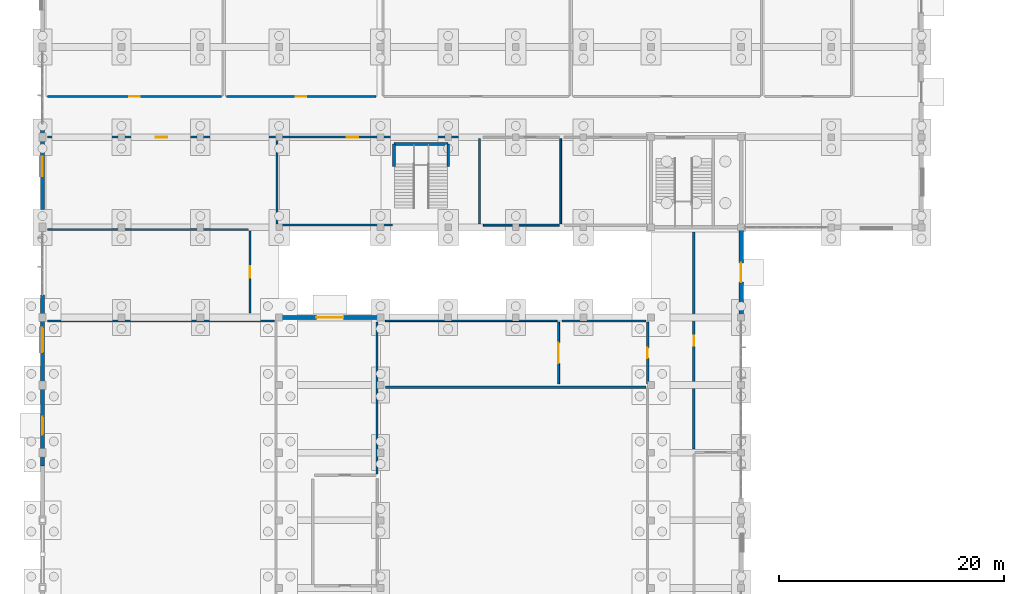
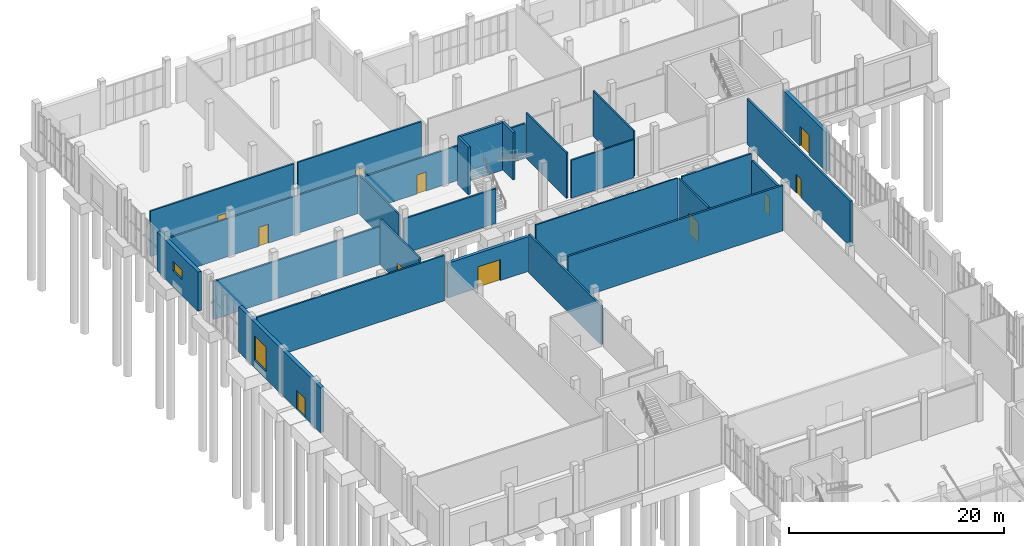
# One storey, part 47 of 69: 27 walls, 11 doors, 2 windows, 13 openings.
"""IFC4 building model written with IfcOpenShell, lengths in metres."""

from ifc_helpers import new_model, si_unit, direction, frame, frame_2d, origin, place, context, subcontext, project, spatial, rectangle, extrude, material, layer, layer_set, type_object, element, fill, save


model = new_model("IFC4")

# Units and contexts
model_context = context("Model", 3, precision=1e-05, world=origin(), true_north=direction((0.0, 1.0)))
body_context = subcontext(model_context, "Body", "Model", "MODEL_VIEW")
ifc_project = project(units=[si_unit("LENGTHUNIT", "METRE"), si_unit("AREAUNIT", "SQUARE_METRE"), si_unit("VOLUMEUNIT", "CUBIC_METRE"), si_unit("PLANEANGLEUNIT", "RADIAN"), si_unit("MASSUNIT", "GRAM", prefix="KILO")], contexts=[model_context])

# Site, building, storey
site_placement = place(None, origin())
site = spatial("IfcSite", under=ifc_project, at=site_placement, CompositionType="ELEMENT")
building_placement = place(site_placement, origin())
building = spatial("IfcBuilding", under=site, at=building_placement, Name="Solvane Community Centre", CompositionType="ELEMENT")
storey_placement = place(building_placement, origin())
storey = spatial("IfcBuildingStorey", under=building, at=storey_placement, Name="L00", CompositionType="ELEMENT", Elevation=0.0)

# Wall
ifc_material_1 = material(Name="Gypsum board partition")
ifc_layer_1 = layer(ifc_material_1, 0.14990234375)
ifc_layer_set_1 = layer_set([ifc_layer_1], Name="Gypsum board partition")
wall_type_1 = type_object("IfcWallType", Name="Acoustic Partition 150mm [153x52dm]", PredefinedType="PARTITIONING", material=ifc_layer_set_1)
wall_1_placement = place(storey_placement, frame((51.679931640625, 77.699951171875, 0.0), z_axis=(0.0, 0.0, 1.0), x_axis=(-1.0, 0.0, 0.0)))
element("IfcWall", 1, at=wall_1_placement, inside=storey, type_object=wall_type_1, Name="Interior Wall WL-INT-L00-0167", PredefinedType="PARTITIONING", context=body_context, shape_type="SweptSolid", body=[
    extrude(rectangle(XDim=15.260009765625, YDim=0.14990234375, at=frame_2d((7.6298828125, 0.0))), origin(), (0.0, 0.0, 1.0), 5.159912109375),
])

# Wall, opening, door
ifc_layer_2 = layer(ifc_material_1, 0.169921875)
ifc_layer_set_2 = layer_set([ifc_layer_2], Name="Gypsum board partition")
wall_type_2 = type_object("IfcWallType", Name="Acoustic Partition 170mm [55x52dm]", PredefinedType="PARTITIONING", material=ifc_layer_set_2)
wall_2_placement = place(storey_placement, frame((51.800048828125, 72.1201171875, 0.0), z_axis=(0.0, 0.0, 1.0), x_axis=(0.0, 1.0, 0.0)))
wall_2 = element("IfcWall", 2, at=wall_2_placement, inside=storey, type_object=wall_type_2, Name="Interior Wall WL-INT-L00-0168", PredefinedType="PARTITIONING", context=body_context, shape_type="SweptSolid", body=[
    extrude(rectangle(XDim=5.4599609375, YDim=0.169921875, at=frame_2d((2.72998046875, 0.0))), origin(), (0.0, 0.0, 1.0), 5.159912109375),
])
opening_1_placement = place(wall_2_placement, frame((1.830078125, 0.0, 0.0)))
opening_1 = element("IfcOpeningElement", 3, at=opening_1_placement, cuts=wall_2, Name="Opening ID02", PredefinedType="OPENING", context=body_context, shape_type="SweptSolid", body=[
    extrude(rectangle(XDim=1.800048828125, YDim=2.300048828125, at=frame_2d((0.89990234375, 1.14990234375))), frame((0.0, 0.094970703125, 0.0), z_axis=(0.0, -1.0, 0.0), x_axis=(1.0, 0.0, 0.0)), (0.0, 0.0, 1.0), 0.18994140625),
])
ifc_material_2 = material(Name="Anodised bronze aluminium AW-6063 T6", Category="aluminium")
door_type_1 = type_object("IfcDoorType", Name="Hall Acoustic Double Door 1800x2300", OperationType="NOTDEFINED", PredefinedType="DOOR", material=ifc_material_2)
door_1_placement = place(opening_1_placement, origin())
door_1 = element("IfcDoor", 4, at=door_1_placement, inside=storey, type_object=door_type_1, Name="L00-D052", OperationType="DOUBLE_DOOR_SINGLE_SWING", OverallHeight=2.300048828125, OverallWidth=1.800048828125, PredefinedType="DOOR", context=body_context, shape_type="SweptSolid", body=[
    extrude(rectangle(XDim=1.800048828125, YDim=2.300048828125, at=frame_2d((0.89990234375, 1.14990234375))), frame((0.0, 0.02490234375, 0.0), z_axis=(0.0, -1.0, 0.0), x_axis=(1.0, 0.0, 0.0)), (0.0, 0.0, 1.0), 0.050048828125),
])
fill(opening_1, door_1)

# Walls
ifc_layer_3 = layer(ifc_material_1, 0.169921875)
ifc_layer_set_3 = layer_set([ifc_layer_3], Name="Gypsum board partition")
wall_type_3 = type_object("IfcWallType", Name="Acoustic Partition 170mm [68x43dm]", PredefinedType="PARTITIONING", material=ifc_layer_set_3)
wall_3_placement = place(storey_placement, frame((45.1201171875, 86.199951171875, 0.0), z_axis=(0.0, 0.0, 1.0), x_axis=(1.0, 0.0, 0.0)))
element("IfcWall", 5, at=wall_3_placement, inside=storey, type_object=wall_type_3, Name="Interior Wall WL-INT-L00-0228", PredefinedType="PARTITIONING", context=body_context, shape_type="SweptSolid", body=[
    extrude(rectangle(XDim=6.759765625, YDim=0.169921875, at=frame_2d((3.3798828125, 0.0))), origin(), (0.0, 0.0, 1.0), 4.31494140625),
])
ifc_layer_4 = layer(ifc_material_1, 0.18994140625)
ifc_layer_set_4 = layer_set([ifc_layer_4], Name="Gypsum board partition")
wall_type_4 = type_object("IfcWallType", Name="Acoustic Partition 190mm [135x44dm]", PredefinedType="PARTITIONING", material=ifc_layer_set_4)
wall_4_placement = place(storey_placement, frame((35.699951171875, 64.1201171875, 0.0), z_axis=(0.0, 0.0, 1.0), x_axis=(0.0, 1.0, 0.0)))
element("IfcWall", 6, at=wall_4_placement, inside=storey, type_object=wall_type_4, Name="Interior Wall WL-INT-L00-0159", PredefinedType="PARTITIONING", context=body_context, shape_type="SweptSolid", body=[
    extrude(rectangle(XDim=13.4599609375, YDim=0.18994140625, at=frame_2d((6.72998046875, 0.0))), origin(), (0.0, 0.0, 1.0), 4.425048828125),
])
ifc_layer_5 = layer(ifc_material_1, 0.18994140625)
ifc_layer_set_5 = layer_set([ifc_layer_5], Name="Gypsum board partition")
wall_type_5 = type_object("IfcWallType", Name="Acoustic Partition 190mm [75x52dm]", PredefinedType="PARTITIONING", material=ifc_layer_set_5)
wall_5_placement = place(storey_placement, frame((59.580078125, 77.699951171875, 0.0), z_axis=(0.0, 0.0, 1.0), x_axis=(-1.0, 0.0, 0.0)))
element("IfcWall", 7, at=wall_5_placement, inside=storey, type_object=wall_type_5, Name="Interior Wall WL-INT-L00-0169", PredefinedType="PARTITIONING", context=body_context, shape_type="SweptSolid", body=[
    extrude(rectangle(XDim=7.4599609375, YDim=0.18994140625, at=frame_2d((3.72998046875, 0.0))), origin(), (0.0, 0.0, 1.0), 5.159912109375),
])
ifc_layer_6 = layer(ifc_material_1, 0.2099609375)
ifc_layer_set_6 = layer_set([ifc_layer_6], Name="Gypsum board partition")
wall_type_6 = type_object("IfcWallType", Name="Acoustic Partition 210mm [232x52dm]", PredefinedType="PARTITIONING", material=ifc_layer_set_6)
wall_6_placement = place(storey_placement, frame((59.580078125, 71.800048828125, 0.0), z_axis=(0.0, 0.0, 1.0), x_axis=(-1.0, 0.0, 0.0)))
element("IfcWall", 8, at=wall_6_placement, inside=storey, type_object=wall_type_6, Name="Interior Wall WL-INT-L00-0165", PredefinedType="PARTITIONING", context=body_context, shape_type="SweptSolid", body=[
    extrude(rectangle(XDim=23.16015625, YDim=0.2099609375, at=frame_2d((11.580078125, 0.0))), origin(), (0.0, 0.0, 1.0), 5.159912109375),
])

# Wall, opening, door
ifc_layer_7 = layer(ifc_material_1, 0.2099609375)
ifc_layer_set_7 = layer_set([ifc_layer_7], Name="Gypsum board partition")
wall_type_7 = type_object("IfcWallType", Name="Acoustic Partition 210mm [55x44dm]", PredefinedType="PARTITIONING", material=ifc_layer_set_7)
wall_7_placement = place(storey_placement, frame((59.699951171875, 72.1201171875, 0.0), z_axis=(0.0, 0.0, 1.0), x_axis=(0.0, 1.0, 0.0)))
wall_7 = element("IfcWall", 9, at=wall_7_placement, inside=storey, type_object=wall_type_7, Name="Interior Wall WL-INT-L00-0170", PredefinedType="PARTITIONING", context=body_context, shape_type="SweptSolid", body=[
    extrude(rectangle(XDim=5.4599609375, YDim=0.2099609375, at=frame_2d((2.72998046875, 0.0))), origin(), (0.0, 0.0, 1.0), 4.425048828125),
])
opening_2_placement = place(wall_7_placement, frame((2.280029296875, 0.0, 0.0)))
opening_2 = element("IfcOpeningElement", 10, at=opening_2_placement, cuts=wall_7, Name="Opening TD01", PredefinedType="OPENING", context=body_context, shape_type="SweptSolid", body=[
    extrude(rectangle(XDim=0.89990234375, YDim=2.10009765625, at=frame_2d((0.449951171875, 1.050048828125))), frame((0.0, 0.114990234375, 0.0), z_axis=(0.0, -1.0, 0.0), x_axis=(1.0, 0.0, 0.0)), (0.0, 0.0, 1.0), 0.22998046875),
])
door_type_2 = type_object("IfcDoorType", Name="Plant & Store Access Trapdoor 900x2100", OperationType="NOTDEFINED", PredefinedType="TRAPDOOR", material=ifc_material_2)
door_2_placement = place(opening_2_placement, origin())
door_2 = element("IfcDoor", 11, at=door_2_placement, inside=storey, type_object=door_type_2, Name="L00-D053", OperationType="SINGLE_SWING_RIGHT", OverallHeight=2.10009765625, OverallWidth=0.89990234375, PredefinedType="TRAPDOOR", context=body_context, shape_type="SweptSolid", body=[
    extrude(rectangle(XDim=0.89990234375, YDim=2.10009765625, at=frame_2d((0.449951171875, 1.050048828125))), frame((0.0, 0.02490234375, 0.0), z_axis=(0.0, -1.0, 0.0), x_axis=(1.0, 0.0, 0.0)), (0.0, 0.0, 1.0), 0.050048828125),
])
fill(opening_2, door_2)

ifc_material_3 = material(Name="Terracotta clay masonry", Category="masonry")
ifc_layer_8 = layer(ifc_material_3, 0.3798828125)
ifc_layer_set_8 = layer_set([ifc_layer_8], Name="Terracotta clay masonry")
wall_type_8 = type_object("IfcWallType", Name="Art Deco Terracotta Plinth Wall 380mm [72x52dm]", PredefinedType="SOLIDWALL", material=ifc_layer_set_8)
wall_8_placement = place(storey_placement, frame((6.0, 64.800048828125, 0.0), z_axis=(0.0, 0.0, 1.0), x_axis=(0.0, 1.0, 0.0)))
wall_8 = element("IfcWall", 12, at=wall_8_placement, inside=storey, type_object=wall_type_8, Name="Exterior Wall WL-EXT-L00-0026", PredefinedType="SOLIDWALL", context=body_context, shape_type="SweptSolid", body=[
    extrude(rectangle(XDim=7.199951171875, YDim=0.3798828125, at=frame_2d((3.60009765625, 0.0))), origin(), (0.0, 0.0, 1.0), 5.159912109375),
])
opening_3_placement = place(wall_8_placement, frame((2.800048828125, 0.0, 0.0)))
opening_3 = element("IfcOpeningElement", 13, at=opening_3_placement, cuts=wall_8, Name="Opening D03", PredefinedType="OPENING", context=body_context, shape_type="SweptSolid", body=[
    extrude(rectangle(XDim=1.60009765625, YDim=2.199951171875, at=frame_2d((0.800048828125, 1.10009765625))), frame((0.0, 0.199951171875, 0.0), z_axis=(0.0, -1.0, 0.0), x_axis=(1.0, 0.0, 0.0)), (0.0, 0.0, 1.0), 0.39990234375),
])
door_type_3 = type_object("IfcDoorType", Name="Secondary Courtyard Exit Pair 1600x2200", OperationType="NOTDEFINED", PredefinedType="DOOR", material=ifc_material_2)
door_3_placement = place(opening_3_placement, origin())
door_3 = element("IfcDoor", 14, at=door_3_placement, inside=storey, type_object=door_type_3, Name="L00-ED12", OperationType="DOUBLE_DOOR_SINGLE_SWING", OverallHeight=2.199951171875, OverallWidth=1.60009765625, PredefinedType="DOOR", context=body_context, shape_type="SweptSolid", body=[
    extrude(rectangle(XDim=1.60009765625, YDim=2.199951171875, at=frame_2d((0.800048828125, 1.10009765625))), frame((0.0, 0.02490234375, 0.0), z_axis=(0.0, -1.0, 0.0), x_axis=(1.0, 0.0, 0.0)), (0.0, 0.0, 1.0), 0.050048828125),
])
fill(opening_3, door_3)

# Wall, opening, window
ifc_layer_9 = layer(ifc_material_3, 0.3798828125)
ifc_layer_set_9 = layer_set([ifc_layer_9], Name="Terracotta clay masonry")
wall_type_9 = type_object("IfcWallType", Name="Art Deco Terracotta Plinth Wall 380mm [76x44dm]", PredefinedType="SOLIDWALL", material=ifc_layer_set_9)
wall_9_placement = place(storey_placement, frame((6.0, 87.60009765625, 0.0), z_axis=(0.0, 0.0, 1.0), x_axis=(0.0, 1.0, 0.0)))
wall_9 = element("IfcWall", 15, at=wall_9_placement, inside=storey, type_object=wall_type_9, Name="Exterior Wall WL-EXT-L00-0028", PredefinedType="SOLIDWALL", context=body_context, shape_type="SweptSolid", body=[
    extrude(rectangle(XDim=7.599853515625, YDim=0.3798828125, at=frame_2d((3.7998046875, 0.0))), origin(), (0.0, 0.0, 1.0), 4.445068359375),
])
opening_4_placement = place(wall_9_placement, frame((2.949951171875, 0.0, 1.800048828125)))
opening_4 = element("IfcOpeningElement", 16, at=opening_4_placement, cuts=wall_9, Name="Opening WN17", PredefinedType="OPENING", context=body_context, shape_type="SweptSolid", body=[
    extrude(rectangle(XDim=1.699951171875, YDim=1.10009765625, at=frame_2d((0.85009765625, 0.550048828125))), frame((0.0, 0.199951171875, 0.0), z_axis=(0.0, -1.0, 0.0), x_axis=(1.0, 0.0, 0.0)), (0.0, 0.0, 1.0), 0.39990234375),
])
ifc_material_4 = material(Name="Tempered low-E double glazing", Category="glass")
window_type_1 = type_object("IfcWindowType", Name="Kitchen High Clerestory 1700x1100", PartitioningType="SINGLE_PANEL", PredefinedType="WINDOW", material=ifc_material_4)
window_1_placement = place(opening_4_placement, origin())
window_1 = element("IfcWindow", 17, at=window_1_placement, inside=storey, type_object=window_type_1, Name="L00-W006", OverallHeight=1.10009765625, OverallWidth=1.699951171875, PartitioningType="SINGLE_PANEL", PredefinedType="WINDOW", context=body_context, shape_type="SweptSolid", body=[
    extrude(rectangle(XDim=1.699951171875, YDim=1.10009765625, at=frame_2d((0.85009765625, 0.550048828125))), frame((0.0, 0.030029296875, 0.0), z_axis=(0.0, -1.0, 0.0), x_axis=(1.0, 0.0, 0.0)), (0.0, 0.0, 1.0), 0.06005859375),
])
fill(opening_4, window_1)

# Wall, opening, door
ifc_layer_10 = layer(ifc_material_3, 0.3798828125)
ifc_layer_set_10 = layer_set([ifc_layer_10], Name="Terracotta clay masonry")
wall_type_10 = type_object("IfcWallType", Name="Art Deco Terracotta Plinth Wall 380mm [80x44dm]", PredefinedType="SOLIDWALL", material=ifc_layer_set_10)
wall_10_placement = place(storey_placement, frame((68.0, 86.0, 0.0), z_axis=(0.0, 0.0, 1.0), x_axis=(0.0, -1.0, 0.0)))
wall_10 = element("IfcWall", 18, at=wall_10_placement, inside=storey, type_object=wall_type_10, Name="Exterior Wall WL-EXT-L00-0040", PredefinedType="SOLIDWALL", context=body_context, shape_type="SweptSolid", body=[
    extrude(rectangle(XDim=8.0, YDim=0.3798828125, at=frame_2d((4.0, 0.0))), origin(), (0.0, 0.0, 1.0), 4.445068359375),
])
opening_5_placement = place(wall_10_placement, frame((3.14990234375, 0.0, 0.0)))
opening_5 = element("IfcOpeningElement", 19, at=opening_5_placement, cuts=wall_10, Name="Opening D07", PredefinedType="OPENING", context=body_context, shape_type="SweptSolid", body=[
    extrude(rectangle(XDim=1.699951171875, YDim=2.25, at=frame_2d((0.85009765625, 1.125))), frame((0.0, 0.199951171875, 0.0), z_axis=(0.0, -1.0, 0.0), x_axis=(1.0, 0.0, 0.0)), (0.0, 0.0, 1.0), 0.39990234375),
])
door_type_4 = type_object("IfcDoorType", Name="Nursery Garden Double Door 1700x2250", OperationType="NOTDEFINED", PredefinedType="DOOR", material=ifc_material_2)
door_4_placement = place(opening_5_placement, origin())
door_4 = element("IfcDoor", 20, at=door_4_placement, inside=storey, type_object=door_type_4, Name="L00-ED17", OperationType="DOUBLE_DOOR_SINGLE_SWING", OverallHeight=2.25, OverallWidth=1.699951171875, PredefinedType="DOOR", context=body_context, shape_type="SweptSolid", body=[
    extrude(rectangle(XDim=1.699951171875, YDim=2.25, at=frame_2d((0.85009765625, 1.125))), frame((0.0, 0.02490234375, 0.0), z_axis=(0.0, -1.0, 0.0), x_axis=(1.0, 0.0, 0.0)), (0.0, 0.0, 1.0), 0.050048828125),
])
fill(opening_5, door_4)

# Wall, opening, window
ifc_layer_11 = layer(ifc_material_3, 0.3798828125)
ifc_layer_set_11 = layer_set([ifc_layer_11], Name="Terracotta clay masonry")
wall_type_11 = type_object("IfcWallType", Name="Art Deco Terracotta Plinth Wall 380mm [80x52dm]", PredefinedType="SOLIDWALL", material=ifc_layer_set_11)
wall_11_placement = place(storey_placement, frame((6.0, 72.0, 0.0), z_axis=(0.0, 0.0, 1.0), x_axis=(0.0, 1.0, 0.0)))
wall_11 = element("IfcWall", 21, at=wall_11_placement, inside=storey, type_object=wall_type_11, Name="Exterior Wall WL-EXT-L00-0027", PredefinedType="SOLIDWALL", context=body_context, shape_type="SweptSolid", body=[
    extrude(rectangle(XDim=8.0, YDim=0.3798828125, at=frame_2d((4.0, 0.0))), origin(), (0.0, 0.0, 1.0), 5.159912109375),
])
opening_6_placement = place(wall_11_placement, frame((2.89990234375, 0.0, 0.85009765625)))
opening_6 = element("IfcOpeningElement", 22, at=opening_6_placement, cuts=wall_11, Name="Opening WN01", PredefinedType="OPENING", context=body_context, shape_type="SweptSolid", body=[
    extrude(rectangle(XDim=2.199951171875, YDim=2.800048828125, at=frame_2d((1.10009765625, 1.39990234375))), frame((0.0, 0.199951171875, 0.0), z_axis=(0.0, -1.0, 0.0), x_axis=(1.0, 0.0, 0.0)), (0.0, 0.0, 1.0), 0.39990234375),
])
window_type_2 = type_object("IfcWindowType", Name="Art Deco Tall Pier Window 2200x2800", PartitioningType="DOUBLE_PANEL_VERTICAL", PredefinedType="WINDOW", material=ifc_material_4)
window_2_placement = place(opening_6_placement, origin())
window_2 = element("IfcWindow", 23, at=window_2_placement, inside=storey, type_object=window_type_2, Name="L00-W005", OverallHeight=2.800048828125, OverallWidth=2.199951171875, PartitioningType="DOUBLE_PANEL_VERTICAL", PredefinedType="WINDOW", context=body_context, shape_type="SweptSolid", body=[
    extrude(rectangle(XDim=2.199951171875, YDim=2.800048828125, at=frame_2d((1.10009765625, 1.39990234375))), frame((0.0, 0.030029296875, 0.0), z_axis=(0.0, -1.0, 0.0), x_axis=(1.0, 0.0, 0.0)), (0.0, 0.0, 1.0), 0.06005859375),
])
fill(opening_6, window_2)

# Wall, opening, door
ifc_layer_12 = layer(ifc_material_3, 0.320068359375)
ifc_layer_set_12 = layer_set([ifc_layer_12], Name="Terracotta clay masonry")
wall_type_12 = type_object("IfcWallType", Name="Courtyard Cloister Brick Wall 320mm [90x39dm]", PredefinedType="SOLIDWALL", material=ifc_layer_set_12)
wall_12_placement = place(storey_placement, frame((27.0, 78.0, 0.0), z_axis=(0.0, 0.0, 1.0), x_axis=(1.0, 0.0, 0.0)))
wall_12 = element("IfcWall", 24, at=wall_12_placement, inside=storey, type_object=wall_type_12, Name="Exterior Wall WL-EXT-L00-0059", PredefinedType="SOLIDWALL", context=body_context, shape_type="SweptSolid", body=[
    extrude(rectangle(XDim=9.0, YDim=0.320068359375, at=frame_2d((4.5, 0.0))), origin(), (0.0, 0.0, 1.0), 3.945068359375),
])
opening_7_placement = place(wall_12_placement, frame((3.300048828125, 0.0, 0.0)))
opening_7 = element("IfcOpeningElement", 25, at=opening_7_placement, cuts=wall_12, Name="Opening GT01", PredefinedType="OPENING", context=body_context, shape_type="SweptSolid", body=[
    extrude(rectangle(XDim=2.39990234375, YDim=2.39990234375, at=frame_2d((1.199951171875, 1.199951171875))), frame((0.0, 0.169921875, 0.0), z_axis=(0.0, -1.0, 0.0), x_axis=(1.0, 0.0, 0.0)), (0.0, 0.0, 1.0), 0.340087890625),
])
door_type_5 = type_object("IfcDoorType", Name="Service Yard Gate Door 2400x2400", OperationType="NOTDEFINED", PredefinedType="GATE", material=ifc_material_2)
door_5_placement = place(opening_7_placement, origin())
door_5 = element("IfcDoor", 26, at=door_5_placement, inside=storey, type_object=door_type_5, Name="L00-ED26", OperationType="DOUBLE_DOOR_SINGLE_SWING", OverallHeight=2.39990234375, OverallWidth=2.39990234375, PredefinedType="GATE", context=body_context, shape_type="SweptSolid", body=[
    extrude(rectangle(XDim=2.39990234375, YDim=2.39990234375, at=frame_2d((1.199951171875, 1.199951171875))), frame((0.0, 0.02490234375, 0.0), z_axis=(0.0, -1.0, 0.0), x_axis=(1.0, 0.0, 0.0)), (0.0, 0.0, 1.0), 0.050048828125),
])
fill(opening_7, door_5)

ifc_layer_13 = layer(ifc_material_3, 0.219970703125)
ifc_layer_set_13 = layer_set([ifc_layer_13], Name="Terracotta clay masonry")
wall_type_13 = type_object("IfcWallType", Name="Masonry Compartment Wall 220mm [193x52dm]", PredefinedType="SOLIDWALL", material=ifc_layer_set_13)
wall_13_placement = place(storey_placement, frame((63.800048828125, 85.580078125, 0.0), z_axis=(0.0, 0.0, 1.0), x_axis=(0.0, -1.0, 0.0)))
wall_13 = element("IfcWall", 27, at=wall_13_placement, inside=storey, type_object=wall_type_13, Name="Interior Wall WL-INT-L00-0180", PredefinedType="SOLIDWALL", context=body_context, shape_type="SweptSolid", body=[
    extrude(rectangle(XDim=19.260009765625, YDim=0.219970703125, at=frame_2d((9.6298828125, 0.0))), origin(), (0.0, 0.0, 1.0), 5.159912109375),
])
opening_8_placement = place(wall_13_placement, frame((9.179931640625, 0.0, 0.0)))
opening_8 = element("IfcOpeningElement", 28, at=opening_8_placement, cuts=wall_13, Name="Opening TD01", PredefinedType="OPENING", context=body_context, shape_type="SweptSolid", body=[
    extrude(rectangle(XDim=0.89990234375, YDim=2.10009765625, at=frame_2d((0.449951171875, 1.050048828125))), frame((0.0, 0.119873046875, 0.0), z_axis=(0.0, -1.0, 0.0), x_axis=(1.0, 0.0, 0.0)), (0.0, 0.0, 1.0), 0.239990234375),
])
door_6_placement = place(opening_8_placement, origin())
door_6 = element("IfcDoor", 29, at=door_6_placement, inside=storey, type_object=door_type_2, Name="L00-D058", OperationType="SINGLE_SWING_RIGHT", OverallHeight=2.10009765625, OverallWidth=0.89990234375, PredefinedType="TRAPDOOR", context=body_context, shape_type="SweptSolid", body=[
    extrude(rectangle(XDim=0.89990234375, YDim=2.10009765625, at=frame_2d((0.449951171875, 1.050048828125))), frame((0.0, 0.02490234375, 0.0), z_axis=(0.0, -1.0, 0.0), x_axis=(1.0, 0.0, 0.0)), (0.0, 0.0, 1.0), 0.050048828125),
])
fill(opening_8, door_6)

ifc_layer_14 = layer(ifc_material_1, 0.179931640625)
ifc_layer_set_14 = layer_set([ifc_layer_14], Name="Gypsum board partition")
wall_type_14 = type_object("IfcWallType", Name="Protected Corridor Wall 180mm [133x52dm]", PredefinedType="PARTITIONING", material=ifc_layer_set_14)
wall_14_placement = place(storey_placement, frame((22.320068359375, 97.60009765625, 0.0), z_axis=(0.0, 0.0, 1.0), x_axis=(1.0, 0.0, 0.0)))
wall_14 = element("IfcWall", 30, at=wall_14_placement, inside=storey, type_object=wall_type_14, Name="Interior Wall WL-INT-L00-0240", PredefinedType="PARTITIONING", context=body_context, shape_type="SweptSolid", body=[
    extrude(rectangle(XDim=13.260009765625, YDim=0.179931640625, at=frame_2d((6.6298828125, 0.0))), origin(), (0.0, 0.0, 1.0), 5.159912109375),
])
opening_9_placement = place(wall_14_placement, frame((6.169921875, 0.0, 0.0)))
opening_9 = element("IfcOpeningElement", 31, at=opening_9_placement, cuts=wall_14, Name="Opening ID04", PredefinedType="OPENING", context=body_context, shape_type="SweptSolid", body=[
    extrude(rectangle(XDim=0.919921875, YDim=2.10009765625, at=frame_2d((0.4599609375, 1.050048828125))), frame((0.0, 0.099853515625, 0.0), z_axis=(0.0, -1.0, 0.0), x_axis=(1.0, 0.0, 0.0)), (0.0, 0.0, 1.0), 0.199951171875),
])
door_type_6 = type_object("IfcDoorType", Name="Nursery & Studio Door 920x2100", OperationType="NOTDEFINED", PredefinedType="DOOR", material=ifc_material_2)
door_7_placement = place(opening_9_placement, origin())
door_7 = element("IfcDoor", 32, at=door_7_placement, inside=storey, type_object=door_type_6, Name="L00-D086", OperationType="SINGLE_SWING_RIGHT", OverallHeight=2.10009765625, OverallWidth=0.919921875, PredefinedType="DOOR", context=body_context, shape_type="SweptSolid", body=[
    extrude(rectangle(XDim=0.919921875, YDim=2.10009765625, at=frame_2d((0.4599609375, 1.050048828125))), frame((0.0, 0.02490234375, 0.0), z_axis=(0.0, -1.0, 0.0), x_axis=(1.0, 0.0, 0.0)), (0.0, 0.0, 1.0), 0.050048828125),
])
fill(opening_9, door_7)

ifc_layer_15 = layer(ifc_material_1, 0.179931640625)
ifc_layer_set_15 = layer_set([ifc_layer_15], Name="Gypsum board partition")
wall_type_15 = type_object("IfcWallType", Name="Protected Corridor Wall 180mm [155x52dm]", PredefinedType="PARTITIONING", material=ifc_layer_set_15)
wall_15_placement = place(storey_placement, frame((6.419921875, 97.60009765625, 0.0), z_axis=(0.0, 0.0, 1.0), x_axis=(1.0, 0.0, 0.0)))
wall_15 = element("IfcWall", 33, at=wall_15_placement, inside=storey, type_object=wall_type_15, Name="Interior Wall WL-INT-L00-0238", PredefinedType="PARTITIONING", context=body_context, shape_type="SweptSolid", body=[
    extrude(rectangle(XDim=15.4599609375, YDim=0.179931640625, at=frame_2d((7.72998046875, 0.0))), origin(), (0.0, 0.0, 1.0), 5.159912109375),
])
opening_10_placement = place(wall_15_placement, frame((7.27001953125, 0.0, 0.0)))
opening_10 = element("IfcOpeningElement", 34, at=opening_10_placement, cuts=wall_15, Name="Opening ID04", PredefinedType="OPENING", context=body_context, shape_type="SweptSolid", body=[
    extrude(rectangle(XDim=0.919921875, YDim=2.10009765625, at=frame_2d((0.4599609375, 1.050048828125))), frame((0.0, 0.099853515625, 0.0), z_axis=(0.0, -1.0, 0.0), x_axis=(1.0, 0.0, 0.0)), (0.0, 0.0, 1.0), 0.199951171875),
])
door_8_placement = place(opening_10_placement, origin())
door_8 = element("IfcDoor", 35, at=door_8_placement, inside=storey, type_object=door_type_6, Name="L00-D085", OperationType="SINGLE_SWING_LEFT", OverallHeight=2.10009765625, OverallWidth=0.919921875, PredefinedType="DOOR", context=body_context, shape_type="SweptSolid", body=[
    extrude(rectangle(XDim=0.919921875, YDim=2.10009765625, at=frame_2d((0.4599609375, 1.050048828125))), frame((0.0, 0.02490234375, 0.0), z_axis=(0.0, -1.0, 0.0), x_axis=(1.0, 0.0, 0.0)), (0.0, 0.0, 1.0), 0.050048828125),
])
fill(opening_10, door_8)

ifc_layer_16 = layer(ifc_material_1, 0.179931640625)
ifc_layer_set_16 = layer_set([ifc_layer_16], Name="Gypsum board partition")
wall_type_16 = type_object("IfcWallType", Name="Protected Corridor Wall 180mm [176x39dm]", PredefinedType="PARTITIONING", material=ifc_layer_set_16)
wall_16_placement = place(storey_placement, frame((44.679931640625, 94.0, 0.0), z_axis=(0.0, 0.0, 1.0), x_axis=(-1.0, 0.0, 0.0)))
wall_16 = element("IfcWall", 36, at=wall_16_placement, inside=storey, type_object=wall_type_16, Name="Interior Wall WL-INT-L00-0224", PredefinedType="PARTITIONING", context=body_context, shape_type="SweptSolid", body=[
    extrude(rectangle(XDim=17.559814453125, YDim=0.179931640625, at=frame_2d((8.77978515625, 0.0))), origin(), (0.0, 0.0, 1.0), 3.945068359375),
])
opening_11_placement = place(wall_16_placement, frame((10.674072265625, 0.0, 0.0)))
opening_11 = element("IfcOpeningElement", 37, at=opening_11_placement, cuts=wall_16, Name="Opening ID01", PredefinedType="OPENING", context=body_context, shape_type="SweptSolid", body=[
    extrude(rectangle(XDim=1.0, YDim=2.14990234375, at=frame_2d((0.5, 1.074951171875))), frame((0.0, 0.099853515625, 0.0), z_axis=(0.0, -1.0, 0.0), x_axis=(1.0, 0.0, 0.0)), (0.0, 0.0, 1.0), 0.199951171875),
])
door_type_7 = type_object("IfcDoorType", Name="Corridor Rated Classroom Door 1000x2150", OperationType="NOTDEFINED", PredefinedType="DOOR", material=ifc_material_2)
door_9_placement = place(opening_11_placement, origin())
door_9 = element("IfcDoor", 38, at=door_9_placement, inside=storey, type_object=door_type_7, Name="L00-D079", OperationType="SINGLE_SWING_LEFT", OverallHeight=2.14990234375, OverallWidth=1.0, PredefinedType="DOOR", context=body_context, shape_type="SweptSolid", body=[
    extrude(rectangle(XDim=1.0, YDim=2.14990234375, at=frame_2d((0.5, 1.074951171875))), frame((0.0, 0.02490234375, 0.0), z_axis=(0.0, -1.0, 0.0), x_axis=(1.0, 0.0, 0.0)), (0.0, 0.0, 1.0), 0.050048828125),
])
fill(opening_11, door_9)

# Walls
ifc_layer_17 = layer(ifc_material_1, 0.179931640625)
ifc_layer_set_17 = layer_set([ifc_layer_17], Name="Gypsum board partition")
wall_type_17 = type_object("IfcWallType", Name="Protected Corridor Wall 180mm [179x43dm]", PredefinedType="PARTITIONING", material=ifc_layer_set_17)
wall_17_placement = place(storey_placement, frame((24.280029296875, 85.800048828125, 0.0), z_axis=(0.0, 0.0, 1.0), x_axis=(-1.0, 0.0, 0.0)))
element("IfcWall", 39, at=wall_17_placement, inside=storey, type_object=wall_type_17, Name="Interior Wall WL-INT-L00-0219", PredefinedType="PARTITIONING", context=body_context, shape_type="SweptSolid", body=[
    extrude(rectangle(XDim=17.860107421875, YDim=0.179931640625, at=frame_2d((8.93017578125, 0.0))), origin(), (0.0, 0.0, 1.0), 4.31494140625),
])
ifc_layer_18 = layer(ifc_material_1, 0.179931640625)
ifc_layer_set_18 = layer_set([ifc_layer_18], Name="Gypsum board partition")
wall_type_18 = type_object("IfcWallType", Name="Protected Corridor Wall 180mm [202x52dm]", PredefinedType="PARTITIONING", material=ifc_layer_set_18)
wall_18_placement = place(storey_placement, frame((26.580078125, 77.699951171875, 0.0), z_axis=(0.0, 0.0, 1.0), x_axis=(-1.0, 0.0, 0.0)))
element("IfcWall", 40, at=wall_18_placement, inside=storey, type_object=wall_type_18, Name="Interior Wall WL-INT-L00-0156", PredefinedType="PARTITIONING", context=body_context, shape_type="SweptSolid", body=[
    extrude(rectangle(XDim=20.16015625, YDim=0.179931640625, at=frame_2d((10.080078125, 0.0))), origin(), (0.0, 0.0, 1.0), 5.159912109375),
])

# Wall, opening, door
ifc_layer_19 = layer(ifc_material_1, 0.179931640625)
ifc_layer_set_19 = layer_set([ifc_layer_19], Name="Gypsum board partition")
wall_type_19 = type_object("IfcWallType", Name="Protected Corridor Wall 180mm [203x43dm]", PredefinedType="PARTITIONING", material=ifc_layer_set_19)
wall_19_placement = place(storey_placement, frame((26.679931640625, 94.0, 0.0), z_axis=(0.0, 0.0, 1.0), x_axis=(-1.0, 0.0, 0.0)))
wall_19 = element("IfcWall", 41, at=wall_19_placement, inside=storey, type_object=wall_type_19, Name="Interior Wall WL-INT-L00-0221", PredefinedType="PARTITIONING", context=body_context, shape_type="SweptSolid", body=[
    extrude(rectangle(XDim=20.260009765625, YDim=0.179931640625, at=frame_2d((10.1298828125, 0.0))), origin(), (0.0, 0.0, 1.0), 4.31494140625),
])
opening_12_placement = place(wall_19_placement, frame((9.6298828125, 0.0, 0.0)))
opening_12 = element("IfcOpeningElement", 42, at=opening_12_placement, cuts=wall_19, Name="Opening ID01", PredefinedType="OPENING", context=body_context, shape_type="SweptSolid", body=[
    extrude(rectangle(XDim=1.0, YDim=2.14990234375, at=frame_2d((0.5, 1.074951171875))), frame((0.0, 0.099853515625, 0.0), z_axis=(0.0, -1.0, 0.0), x_axis=(1.0, 0.0, 0.0)), (0.0, 0.0, 1.0), 0.199951171875),
])
door_10_placement = place(opening_12_placement, origin())
door_10 = element("IfcDoor", 43, at=door_10_placement, inside=storey, type_object=door_type_7, Name="L00-D078", OperationType="SINGLE_SWING_RIGHT", OverallHeight=2.14990234375, OverallWidth=1.0, PredefinedType="DOOR", context=body_context, shape_type="SweptSolid", body=[
    extrude(rectangle(XDim=1.0, YDim=2.14990234375, at=frame_2d((0.5, 1.074951171875))), frame((0.0, 0.02490234375, 0.0), z_axis=(0.0, -1.0, 0.0), x_axis=(1.0, 0.0, 0.0)), (0.0, 0.0, 1.0), 0.050048828125),
])
fill(opening_12, door_10)

ifc_layer_20 = layer(ifc_material_1, 0.179931640625)
ifc_layer_set_20 = layer_set([ifc_layer_20], Name="Gypsum board partition")
wall_type_20 = type_object("IfcWallType", Name="Protected Corridor Wall 180mm [73x52dm]", PredefinedType="PARTITIONING", material=ifc_layer_set_20)
wall_20_placement = place(storey_placement, frame((24.39990234375, 78.419921875, 0.0), z_axis=(0.0, 0.0, 1.0), x_axis=(0.0, 1.0, 0.0)))
wall_20 = element("IfcWall", 44, at=wall_20_placement, inside=storey, type_object=wall_type_20, Name="Interior Wall WL-INT-L00-0220", PredefinedType="PARTITIONING", context=body_context, shape_type="SweptSolid", body=[
    extrude(rectangle(XDim=7.260009765625, YDim=0.179931640625, at=frame_2d((3.6298828125, 0.0))), origin(), (0.0, 0.0, 1.0), 5.159912109375),
])
opening_13_placement = place(wall_20_placement, frame((3.1298828125, 0.0, 0.0)))
opening_13 = element("IfcOpeningElement", 45, at=opening_13_placement, cuts=wall_20, Name="Opening ID01", PredefinedType="OPENING", context=body_context, shape_type="SweptSolid", body=[
    extrude(rectangle(XDim=1.0, YDim=2.14990234375, at=frame_2d((0.5, 1.074951171875))), frame((0.0, 0.099853515625, 0.0), z_axis=(0.0, -1.0, 0.0), x_axis=(1.0, 0.0, 0.0)), (0.0, 0.0, 1.0), 0.199951171875),
])
door_11_placement = place(opening_13_placement, origin())
door_11 = element("IfcDoor", 46, at=door_11_placement, inside=storey, type_object=door_type_7, Name="L00-D077", OperationType="SINGLE_SWING_LEFT", OverallHeight=2.14990234375, OverallWidth=1.0, PredefinedType="DOOR", context=body_context, shape_type="SweptSolid", body=[
    extrude(rectangle(XDim=1.0, YDim=2.14990234375, at=frame_2d((0.5, 1.074951171875))), frame((0.0, 0.02490234375, 0.0), z_axis=(0.0, -1.0, 0.0), x_axis=(1.0, 0.0, 0.0)), (0.0, 0.0, 1.0), 0.050048828125),
])
fill(opening_13, door_11)

# Walls
ifc_layer_21 = layer(ifc_material_1, 0.179931640625)
ifc_layer_set_21 = layer_set([ifc_layer_21], Name="Gypsum board partition")
wall_type_21 = type_object("IfcWallType", Name="Protected Corridor Wall 180mm [76x44dm]", PredefinedType="PARTITIONING", material=ifc_layer_set_21)
wall_21_placement = place(storey_placement, frame((26.800048828125, 86.320068359375, 0.0), z_axis=(0.0, 0.0, 1.0), x_axis=(0.0, 1.0, 0.0)))
element("IfcWall", 47, at=wall_21_placement, inside=storey, type_object=wall_type_21, Name="Interior Wall WL-INT-L00-0222", PredefinedType="PARTITIONING", context=body_context, shape_type="SweptSolid", body=[
    extrude(rectangle(XDim=7.559814453125, YDim=0.179931640625, at=frame_2d((3.77978515625, 0.0))), origin(), (0.0, 0.0, 1.0), 4.445068359375),
])
ifc_layer_22 = layer(ifc_material_1, 0.179931640625)
ifc_layer_set_22 = layer_set([ifc_layer_22], Name="Gypsum board partition")
wall_type_22 = type_object("IfcWallType", Name="Protected Corridor Wall 180mm [76x52dm]", PredefinedType="PARTITIONING", material=ifc_layer_set_22)
wall_22_placement = place(storey_placement, frame((44.800048828125, 86.320068359375, 0.0), z_axis=(0.0, 0.0, 1.0), x_axis=(0.0, 1.0, 0.0)))
element("IfcWall", 48, at=wall_22_placement, inside=storey, type_object=wall_type_22, Name="Interior Wall WL-INT-L00-0225", PredefinedType="PARTITIONING", context=body_context, shape_type="SweptSolid", body=[
    extrude(rectangle(XDim=7.559814453125, YDim=0.179931640625, at=frame_2d((3.77978515625, 0.0))), origin(), (0.0, 0.0, 1.0), 5.159912109375),
])
ifc_layer_23 = layer(ifc_material_1, 0.179931640625)
ifc_layer_set_23 = layer_set([ifc_layer_23], Name="Gypsum board partition")
wall_type_23 = type_object("IfcWallType", Name="Protected Corridor Wall 180mm [99x39dm]", PredefinedType="PARTITIONING", material=ifc_layer_set_23)
wall_23_placement = place(storey_placement, frame((27.1201171875, 86.199951171875, 0.0), z_axis=(0.0, 0.0, 1.0), x_axis=(1.0, 0.0, 0.0)))
element("IfcWall", 49, at=wall_23_placement, inside=storey, type_object=wall_type_23, Name="Interior Wall WL-INT-L00-0223", PredefinedType="PARTITIONING", context=body_context, shape_type="SweptSolid", body=[
    extrude(rectangle(XDim=9.919921875, YDim=0.179931640625, at=frame_2d((4.9599609375, 0.0))), origin(), (0.0, 0.0, 1.0), 3.945068359375),
])
ifc_material_5 = material(Name="Concrete C35/45", Category="concrete")
ifc_layer_24 = layer(ifc_material_5, 0.25)
ifc_layer_set_24 = layer_set([ifc_layer_24], Name="Concrete C35/45")
wall_type_24 = type_object("IfcWallType", Name="RC Lift Shaft Wall 250mm [20x54dm]", PredefinedType="SHEAR", material=ifc_layer_set_24)
for number, where, z_axis, x_axis, name in (
    (50, (37.199951171875, 91.39990234375, 0.0), (0.0, 0.0, 1.0), (0.0, 1.0, 0.0), "Interior Wall WL-INT-L00-0149"),
    (51, (42.0, 93.39990234375, 0.0), (0.0, 0.0, 1.0), (0.0, -1.0, 0.0), "Interior Wall WL-INT-L00-0151"),
):
    element("IfcWall", number, at=place(storey_placement, frame(where, z_axis=z_axis, x_axis=x_axis)), inside=storey, type_object=wall_type_24, Name=name, PredefinedType="SHEAR", context=body_context, shape_type="SweptSolid", body=[
        extrude(rectangle(XDim=2.0, YDim=0.25, at=frame_2d((1.0, 0.0))), origin(), (0.0, 0.0, 1.0), 5.39990234375),
    ])
ifc_layer_25 = layer(ifc_material_5, 0.25)
ifc_layer_set_25 = layer_set([ifc_layer_25], Name="Concrete C35/45")
wall_type_25 = type_object("IfcWallType", Name="RC Lift Shaft Wall 250mm [48x54dm]", PredefinedType="SHEAR", material=ifc_layer_set_25)
wall_24_placement = place(storey_placement, frame((37.199951171875, 93.39990234375, 0.0), z_axis=(0.0, 0.0, 1.0), x_axis=(1.0, 0.0, 0.0)))
element("IfcWall", 52, at=wall_24_placement, inside=storey, type_object=wall_type_25, Name="Interior Wall WL-INT-L00-0150", PredefinedType="SHEAR", context=body_context, shape_type="SweptSolid", body=[
    extrude(rectangle(XDim=4.800048828125, YDim=0.25, at=frame_2d((2.39990234375, 0.0))), origin(), (0.0, 0.0, 1.0), 5.39990234375),
])
ifc_layer_26 = layer(ifc_material_1, 0.159912109375)
ifc_layer_set_26 = layer_set([ifc_layer_26], Name="Gypsum board partition")
wall_type_26 = type_object("IfcWallType", Name="Sanitary Plumbing Chase Wall 160mm [76x52dm]", PredefinedType="PLUMBINGWALL", material=ifc_layer_set_26)
wall_25_placement = place(storey_placement, frame((52.0, 86.320068359375, 0.0), z_axis=(0.0, 0.0, 1.0), x_axis=(0.0, 1.0, 0.0)))
element("IfcWall", 53, at=wall_25_placement, inside=storey, type_object=wall_type_26, Name="Interior Wall WL-INT-L00-0227", PredefinedType="PLUMBINGWALL", context=body_context, shape_type="SweptSolid", body=[
    extrude(rectangle(XDim=7.559814453125, YDim=0.159912109375, at=frame_2d((3.77978515625, 0.0))), origin(), (0.0, 0.0, 1.0), 5.159912109375),
])

save(model, "model.ifc")
